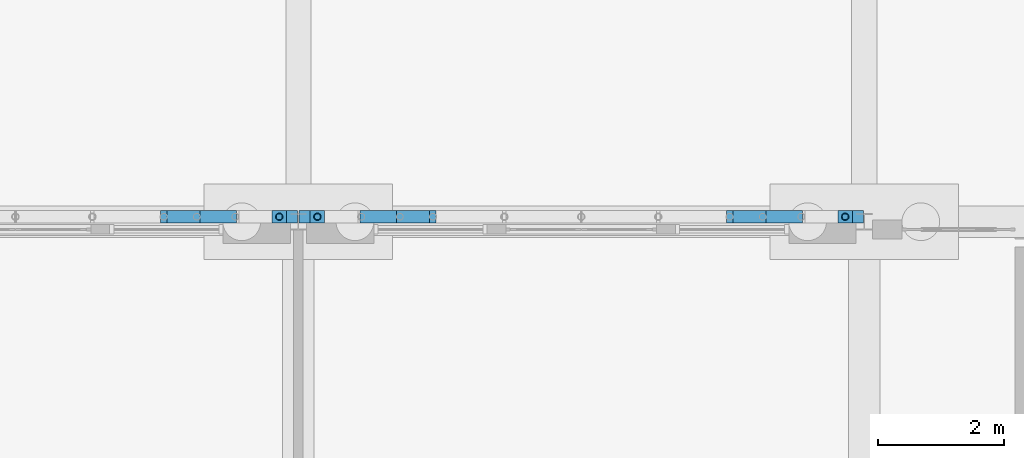
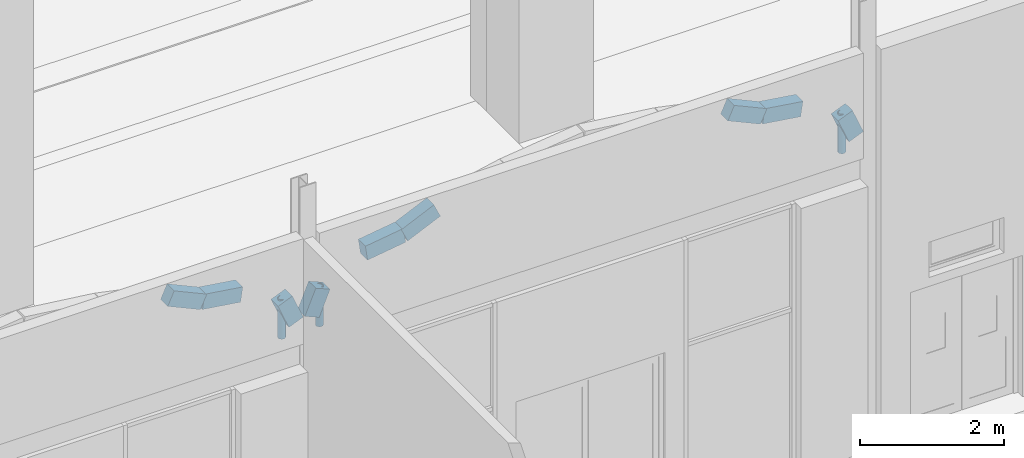
# One storey, part 73 of 250: 9 beams, 3 members.
"""IFC4 building model written with IfcOpenShell, lengths in metres."""

from ifc_helpers import new_model, si_unit, direction, frame, origin, origin_2d, place, context, subcontext, project, spatial, rectangle, hollow_circle, extrude, material, material_profile, profile_set, type_object, element, save


model = new_model("IFC4")

# Units and contexts
model_context = context("Model", 3, precision=1e-05, world=origin(), true_north=direction((0.0, 1.0)))
body_context = subcontext(model_context, "Body", "Model", "MODEL_VIEW")
ifc_project = project(units=[si_unit("LENGTHUNIT", "METRE"), si_unit("AREAUNIT", "SQUARE_METRE"), si_unit("VOLUMEUNIT", "CUBIC_METRE"), si_unit("PLANEANGLEUNIT", "RADIAN"), si_unit("MASSUNIT", "GRAM", prefix="KILO")], contexts=[model_context])

# Site, building, storey
site_placement = place(None, origin())
site = spatial("IfcSite", under=ifc_project, at=site_placement, CompositionType="ELEMENT")
building_placement = place(site_placement, origin())
building = spatial("IfcBuilding", under=site, at=building_placement, Name="Baradari Gate Terminus", CompositionType="ELEMENT")
storey_placement = place(building_placement, origin())
storey = spatial("IfcBuildingStorey", under=building, at=storey_placement, Name="L00", CompositionType="ELEMENT", Elevation=0.0)

# Members
ifc_material_1 = material(Name="Steel S355", Category="steel")
ifc_material_profile_1 = material_profile(ifc_material_1, hollow_circle(Radius=0.05712890625, WallThickness=0.00634765625, at=origin_2d()), Name="CHS 114.3x6.3")
ifc_profile_set_1 = profile_set([ifc_material_profile_1], Name="Steel S355")
member_type = type_object("IfcMemberType", Name="Arcade arch post SP-2 114x6.3", PredefinedType="POST", material=ifc_profile_set_1)
for number, where, z_axis, x_axis, name in (
    (1, (224.697021484375, 108.07861328125, 4.89990234375), (0.0, 0.0, 1.0), (1.0, 0.0, 0.0), "Arcade arch post 24.12"),
    (2, (225.302978515625, 108.07861328125, 4.89990234375), (0.0, 0.0, 1.0), (1.0, 0.0, 0.0), "Arcade arch post 25.2"),
    (3, (233.697021484375, 108.07861328125, 4.89990234375), (0.0, 0.0, 1.0), (1.0, 0.0, 0.0), "Arcade arch post 25.12"),
):
    element("IfcMember", number, at=place(storey_placement, frame(where, z_axis=z_axis, x_axis=x_axis)), inside=storey, type_object=member_type, Name=name, PredefinedType="POST", context=body_context, shape_type="SweptSolid", body=[
        extrude(hollow_circle(Radius=0.05712890625, WallThickness=0.00634765625, at=origin_2d()), origin(), (0.0, 0.0, 1.0), 0.66796875),
    ])

# Beams
ifc_material_2 = material(Name="Concrete C40/50 precast", Category="concrete")
ifc_material_profile_2 = material_profile(ifc_material_2, rectangle(XDim=0.199951171875, YDim=0.25, at=origin_2d()), Name="AB-1 200X250")
ifc_profile_set_2 = profile_set([ifc_material_profile_2], Name="Concrete C40/50 precast")
beam_type = type_object("IfcBeamType", Name="Arcade arch segment AB-1 200x250", PredefinedType="BEAM", material=ifc_profile_set_2)
beam_1_placement = place(storey_placement, frame((222.86083984375, 108.07861328125, 6.254150390625), z_axis=(0.910177822616, 0.0, -0.414217734071), x_axis=(0.0, 1.0, 0.0)))
element("IfcBeam", 4, at=beam_1_placement, inside=storey, type_object=beam_type, Name="Arcade arch AB-1 bay 24 segment 9", PredefinedType="BEAM", context=body_context, shape_type="SweptSolid", body=[
    extrude(rectangle(XDim=0.199951171875, YDim=0.25, at=origin_2d()), origin(), (0.0, 0.0, 1.0), 0.576416015625),
])
beam_2_placement = place(storey_placement, frame((223.385498046875, 108.07861328125, 6.015380859375), z_axis=(0.989454167091, 0.0, -0.144846302083), x_axis=(0.0, 1.0, 0.0)))
element("IfcBeam", 5, at=beam_2_placement, inside=storey, type_object=beam_type, Name="Arcade arch AB-1 bay 24 segment 10", PredefinedType="BEAM", context=body_context, shape_type="SweptSolid", body=[
    extrude(rectangle(XDim=0.199951171875, YDim=0.25, at=origin_2d()), origin(), (0.0, 0.0, 1.0), 0.61865234375),
])
for number, where, z_axis, x_axis, name in (
    (6, (224.697021484375, 108.07861328125, 5.56787109375), (0.385839488106, 0.0, -0.922565926868), (0.0, 1.0, 0.0), "Arcade arch AB-1 bay 24 segment 12"),
    (7, (225.128173828125, 108.07861328125, 5.14990234375), (0.385839488106, 0.0, 0.922565926868), (0.0, 1.0, 0.0), "Arcade arch AB-1 bay 25 segment 1"),
):
    element("IfcBeam", number, at=place(storey_placement, frame(where, z_axis=z_axis, x_axis=x_axis)), inside=storey, type_object=beam_type, Name=name, PredefinedType="BEAM", context=body_context, shape_type="SweptSolid", body=[
        extrude(rectangle(XDim=0.199951171875, YDim=0.25, at=origin_2d()), origin(), (0.0, 0.0, 1.0), 0.453125),
    ])
beam_3_placement = place(storey_placement, frame((226.00244140625, 108.07861328125, 5.92578125), z_axis=(0.989454167091, 0.0, 0.144846302083), x_axis=(0.0, 1.0, 0.0)))
element("IfcBeam", 8, at=beam_3_placement, inside=storey, type_object=beam_type, Name="Arcade arch AB-1 bay 25 segment 3", PredefinedType="BEAM", context=body_context, shape_type="SweptSolid", body=[
    extrude(rectangle(XDim=0.199951171875, YDim=0.25, at=origin_2d()), origin(), (0.0, 0.0, 1.0), 0.61865234375),
])
for number, where, z_axis, x_axis, name in (
    (9, (226.614501953125, 108.07861328125, 6.015380859375), (0.910177822616, 0.0, 0.414217734071), (0.0, 1.0, 0.0), "Arcade arch AB-1 bay 25 segment 4"),
    (10, (231.86083984375, 108.07861328125, 6.254150390625), (0.910177822616, 0.0, -0.414217734071), (0.0, 1.0, 0.0), "Arcade arch AB-1 bay 25 segment 9"),
):
    element("IfcBeam", number, at=place(storey_placement, frame(where, z_axis=z_axis, x_axis=x_axis)), inside=storey, type_object=beam_type, Name=name, PredefinedType="BEAM", context=body_context, shape_type="SweptSolid", body=[
        extrude(rectangle(XDim=0.199951171875, YDim=0.25, at=origin_2d()), origin(), (0.0, 0.0, 1.0), 0.576416015625),
    ])
beam_4_placement = place(storey_placement, frame((232.385498046875, 108.07861328125, 6.015380859375), z_axis=(0.989454167091, 0.0, -0.144846302083), x_axis=(0.0, 1.0, 0.0)))
element("IfcBeam", 11, at=beam_4_placement, inside=storey, type_object=beam_type, Name="Arcade arch AB-1 bay 25 segment 10", PredefinedType="BEAM", context=body_context, shape_type="SweptSolid", body=[
    extrude(rectangle(XDim=0.199951171875, YDim=0.25, at=origin_2d()), origin(), (0.0, 0.0, 1.0), 0.61865234375),
])
beam_5_placement = place(storey_placement, frame((233.697021484375, 108.07861328125, 5.56787109375), z_axis=(0.385839488106, 0.0, -0.922565926868), x_axis=(0.0, 1.0, 0.0)))
element("IfcBeam", 12, at=beam_5_placement, inside=storey, type_object=beam_type, Name="Arcade arch AB-1 bay 25 segment 12", PredefinedType="BEAM", context=body_context, shape_type="SweptSolid", body=[
    extrude(rectangle(XDim=0.199951171875, YDim=0.25, at=origin_2d()), origin(), (0.0, 0.0, 1.0), 0.453125),
])

save(model, "model.ifc")
